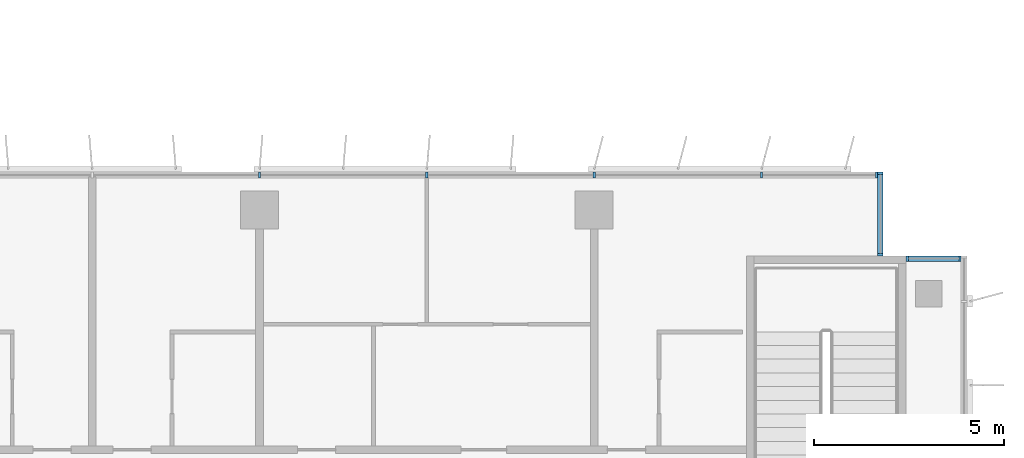
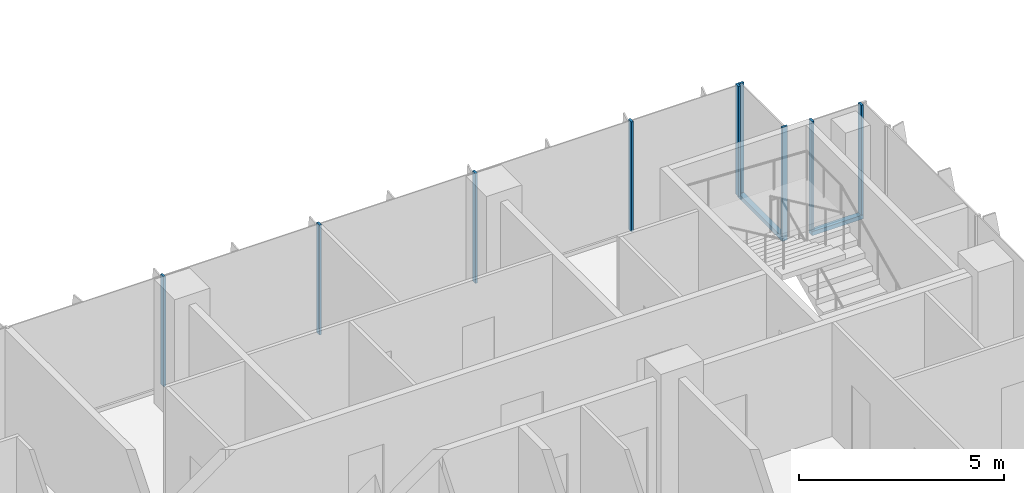
# One storey, part 4 of 21: 11 members, 3 elements without a shape of their own.
"""IFC4 building model written with IfcOpenShell, lengths in metres."""

from ifc_helpers import new_model, si_unit, direction, frame, origin, origin_2d, place, context, subcontext, project, spatial, rectangle, extrude, source, transform, mapped, material, material_profile, profile_set, type_object, element, aggregate, save


model = new_model("IFC4")

# Units and contexts
model_context = context("Model", 3, precision=1e-05, world=origin(), true_north=direction((0.0, 1.0)))
body_context = subcontext(model_context, "Body", "Model", "MODEL_VIEW")
ifc_project = project(units=[si_unit("LENGTHUNIT", "METRE"), si_unit("AREAUNIT", "SQUARE_METRE"), si_unit("VOLUMEUNIT", "CUBIC_METRE"), si_unit("PLANEANGLEUNIT", "RADIAN"), si_unit("MASSUNIT", "GRAM", prefix="KILO")], contexts=[model_context])

# Site, building, storey
site_placement = place(None, origin())
site = spatial("IfcSite", under=ifc_project, at=site_placement, CompositionType="ELEMENT")
building_placement = place(site_placement, origin())
building = spatial("IfcBuilding", under=site, at=building_placement, Name="Kemantara Hotel Tower", CompositionType="ELEMENT")
storey_placement = place(building_placement, frame((0.0, 0.0, 211.699951171875)))
storey = spatial("IfcBuildingStorey", under=building, at=storey_placement, Name="L52", CompositionType="ELEMENT", Elevation=211.699951171875)

# Curtain wall, member
ifc_material_1 = material(Name="Low-E tinted double insulated glass 36 mm", Category="glass")
curtain_wall_type = type_object("IfcCurtainWallType", Name="TOWER CURTAIN WALL, FRONT FACES", PredefinedType="USERDEFINED", material=ifc_material_1)
curtain_wall_1_placement = place(storey_placement, origin())
curtain_wall_1 = element("IfcCurtainWall", 1, at=curtain_wall_1_placement, inside=storey, type_object=curtain_wall_type, Name="CW4 L52 T3-R12-1", ObjectType="TOWER CURTAIN WALL, FRONT FACES", PredefinedType="USERDEFINED")
ifc_material_2 = material(Name="Aluminium 6063-T6 bronze anodised", Category="aluminium")
ifc_material_profile_1 = material_profile(ifc_material_2, rectangle(XDim=0.14990234375, YDim=0.1201171875, at=origin_2d()), Name="TOWER CURTAIN WALL, FRONT FACES TRANSOM")
ifc_profile_set_1 = profile_set([ifc_material_profile_1], Name="Aluminium 6063-T6 bronze anodised")
member_type_1 = type_object("IfcMemberType", Name="TOWER CURTAIN WALL, FRONT FACES TRANSOM", PredefinedType="USERDEFINED", material=ifc_profile_set_1)
member_1_placement = place(storey_placement, frame((63.449951171875, 19.72509765625, 0.06005859375), z_axis=(-1.0, 0.0, 0.0), x_axis=(0.0, -1.0, 0.0)))
member_1 = element("IfcMember", 2, at=member_1_placement, type_object=member_type_1, Name="CW4 sill transom T3-R12-1", ObjectType="TRANSOM", PredefinedType="USERDEFINED", context=body_context, shape_type="SweptSolid", body=[
    extrude(rectangle(XDim=0.14990234375, YDim=0.1201171875, at=origin_2d()), origin(), (0.0, 0.0, 1.0), 1.449951171875),
])

curtain_wall_2_placement = place(storey_placement, origin())
curtain_wall_2 = element("IfcCurtainWall", 3, at=curtain_wall_2_placement, inside=storey, type_object=curtain_wall_type, Name="CW4 L52 T3-R13-1", ObjectType="TOWER CURTAIN WALL, FRONT FACES", PredefinedType="USERDEFINED")
member_2_placement = place(storey_placement, frame((61.324951171875, 19.800048828125, 0.06005859375), z_axis=(0.0, 1.0, 0.0), x_axis=(-1.0, 0.0, 0.0)))
member_2 = element("IfcMember", 4, at=member_2_placement, type_object=member_type_1, Name="CW4 sill transom T3-R13-1", ObjectType="TRANSOM", PredefinedType="USERDEFINED", context=body_context, shape_type="SweptSolid", body=[
    extrude(rectangle(XDim=0.14990234375, YDim=0.1201171875, at=origin_2d()), origin(), (0.0, 0.0, 1.0), 2.199951171875),
])

# Curtain wall, members
curtain_wall_3_placement = place(storey_placement, origin())
curtain_wall_3 = element("IfcCurtainWall", 5, at=curtain_wall_3_placement, inside=storey, type_object=curtain_wall_type, Name="CW4 L52 T3-R14-1", ObjectType="TOWER CURTAIN WALL, FRONT FACES", PredefinedType="USERDEFINED")
ifc_material_profile_2 = material_profile(ifc_material_2, rectangle(XDim=0.14990234375, YDim=0.06005859375, at=origin_2d()), Name="TOWER CURTAIN WALL, FRONT FACES MULLION")
ifc_profile_set_2 = profile_set([ifc_material_profile_2], Name="Aluminium 6063-T6 bronze anodised")
member_type_2 = type_object("IfcMemberType", Name="TOWER CURTAIN WALL, FRONT FACES MULLION", PredefinedType="MULLION", material=ifc_profile_set_2)
shared_shape = source(origin(), body_context, "Body", "SweptSolid", [
    extrude(rectangle(XDim=0.14990234375, YDim=0.06005859375, at=origin_2d()), origin(), (0.0, 0.0, 1.0), 3.280029296875),
])
member_3_placement = place(storey_placement, frame((61.219970703125, 21.925048828125, 0.1201171875), z_axis=(0.0, 0.0, 1.0), x_axis=(0.0, -1.0, 0.0)))
member_3 = element("IfcMember", 6, at=member_3_placement, type_object=member_type_2, Name="CW4 mullion T3-R14-1.1", PredefinedType="MULLION", context=body_context, shape_type="MappedRepresentation", body=[
    mapped(shared_shape, transform((0.0, 0.0, 0.0))),
])
member_4_placement = place(storey_placement, frame((58.199951171875, 21.925048828125, 0.1201171875), z_axis=(0.0, 0.0, 1.0), x_axis=(0.0, -1.0, 0.0)))
member_4 = element("IfcMember", 7, at=member_4_placement, type_object=member_type_2, Name="CW4 mullion T3-R14-1.2", PredefinedType="MULLION", context=body_context, shape_type="MappedRepresentation", body=[
    mapped(shared_shape, transform((0.0, 0.0, 0.0))),
])
member_5_placement = place(storey_placement, frame((53.800048828125, 21.925048828125, 0.1201171875), z_axis=(0.0, 0.0, 1.0), x_axis=(0.0, -1.0, 0.0)))
member_5 = element("IfcMember", 8, at=member_5_placement, type_object=member_type_2, Name="CW4 mullion T3-R14-1.3", PredefinedType="MULLION", context=body_context, shape_type="MappedRepresentation", body=[
    mapped(shared_shape, transform((0.0, 0.0, 0.0))),
])
member_6_placement = place(storey_placement, frame((49.39990234375, 21.925048828125, 0.1201171875), z_axis=(0.0, 0.0, 1.0), x_axis=(0.0, -1.0, 0.0)))
member_6 = element("IfcMember", 9, at=member_6_placement, type_object=member_type_2, Name="CW4 mullion T3-R14-1.4", PredefinedType="MULLION", context=body_context, shape_type="MappedRepresentation", body=[
    mapped(shared_shape, transform((0.0, 0.0, 0.0))),
])
member_7_placement = place(storey_placement, frame((45.0, 21.925048828125, 0.1201171875), z_axis=(0.0, 0.0, 1.0), x_axis=(0.0, -1.0, 0.0)))
member_7 = element("IfcMember", 10, at=member_7_placement, type_object=member_type_2, Name="CW4 mullion T3-R14-1.5", PredefinedType="MULLION", context=body_context, shape_type="MappedRepresentation", body=[
    mapped(shared_shape, transform((0.0, 0.0, 0.0))),
])
aggregate(curtain_wall_3, [member_3, member_4, member_5, member_6, member_7])

# Member
member_8_placement = place(storey_placement, frame((63.419921875, 19.72509765625, 0.1201171875), z_axis=(0.0, 0.0, 1.0), x_axis=(0.0, -1.0, 0.0)))
member_8 = element("IfcMember", 11, at=member_8_placement, type_object=member_type_2, Name="CW4 mullion T3-R12-1.1", PredefinedType="MULLION", context=body_context, shape_type="MappedRepresentation", body=[
    mapped(shared_shape, transform((0.0, 0.0, 0.0))),
])

member_9_placement = place(storey_placement, frame((62.030029296875, 19.72509765625, 0.1201171875), z_axis=(0.0, 0.0, 1.0), x_axis=(0.0, -1.0, 0.0)))
member_9 = element("IfcMember", 12, at=member_9_placement, type_object=member_type_2, Name="CW4 mullion T3-R12-1.2", PredefinedType="MULLION", context=body_context, shape_type="MappedRepresentation", body=[
    mapped(shared_shape, transform((0.0, 0.0, 0.0))),
])

aggregate(curtain_wall_1, [member_1, member_8, member_9])

member_10_placement = place(storey_placement, frame((61.324951171875, 19.830078125, 0.1201171875), z_axis=(0.0, 0.0, 1.0), x_axis=(-1.0, 0.0, 0.0)))
member_10 = element("IfcMember", 13, at=member_10_placement, type_object=member_type_2, Name="CW4 mullion T3-R13-1.1", PredefinedType="MULLION", context=body_context, shape_type="MappedRepresentation", body=[
    mapped(shared_shape, transform((0.0, 0.0, 0.0))),
])

member_11_placement = place(storey_placement, frame((61.324951171875, 21.969970703125, 0.1201171875), z_axis=(0.0, 0.0, 1.0), x_axis=(-1.0, 0.0, 0.0)))
member_11 = element("IfcMember", 14, at=member_11_placement, type_object=member_type_2, Name="CW4 mullion T3-R13-1.2", PredefinedType="MULLION", context=body_context, shape_type="MappedRepresentation", body=[
    mapped(shared_shape, transform((0.0, 0.0, 0.0))),
])

aggregate(curtain_wall_2, [member_2, member_10, member_11])

save(model, "model.ifc")
